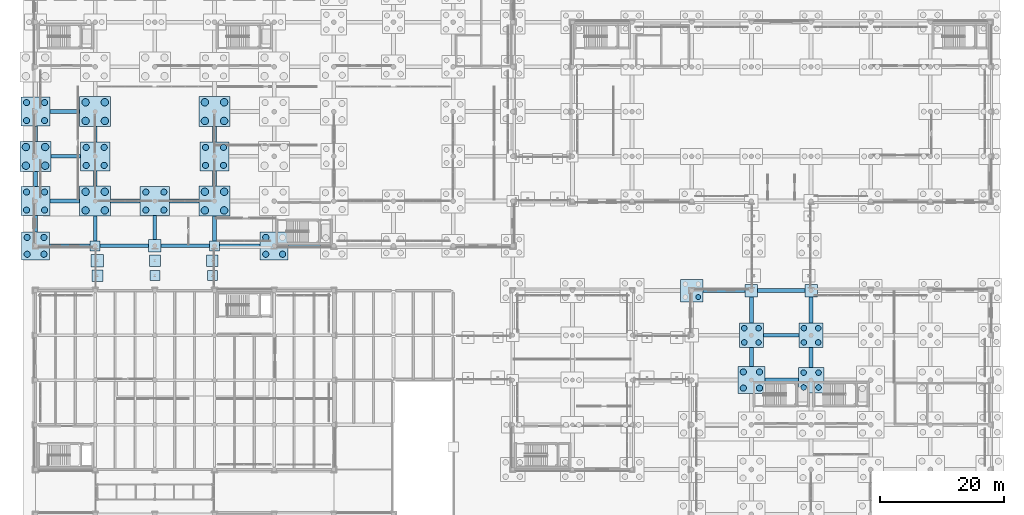
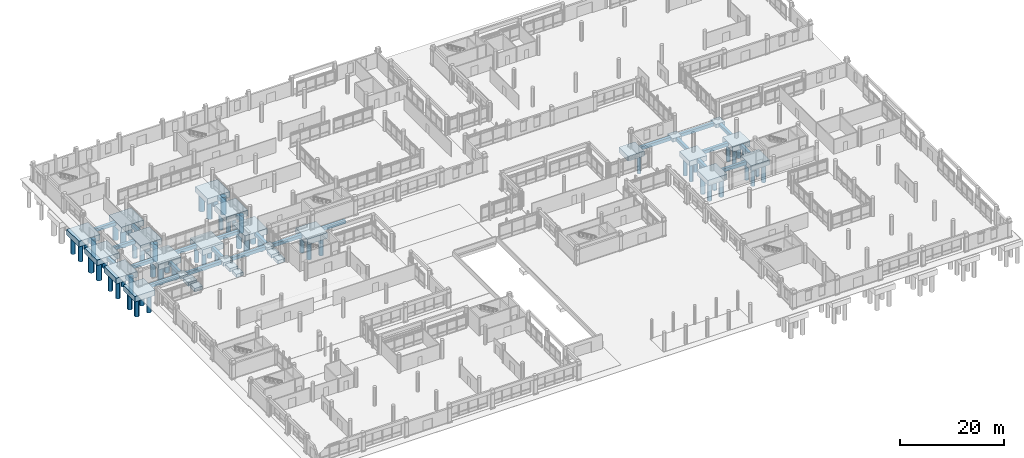
# One storey, part 3 of 196: 64 piles, 56 footings.
"""IFC4 building model written with IfcOpenShell, lengths in metres."""

from ifc_helpers import new_model, si_unit, direction, frame, origin, origin_2d, place, context, subcontext, project, spatial, rectangle, circle, extrude, material, material_profile, profile_set, type_object, element, save


model = new_model("IFC4")

# Units and contexts
model_context = context("Model", 3, precision=1e-05, world=origin(), true_north=direction((0.0, 1.0)))
body_context = subcontext(model_context, "Body", "Model", "MODEL_VIEW")
ifc_project = project(units=[si_unit("LENGTHUNIT", "METRE"), si_unit("AREAUNIT", "SQUARE_METRE"), si_unit("VOLUMEUNIT", "CUBIC_METRE"), si_unit("PLANEANGLEUNIT", "RADIAN"), si_unit("MASSUNIT", "GRAM", prefix="KILO")], contexts=[model_context])

# Site, building, storey
site_placement = place(None, origin())
site = spatial("IfcSite", under=ifc_project, at=site_placement, CompositionType="ELEMENT")
building_placement = place(site_placement, origin())
building = spatial("IfcBuilding", under=site, at=building_placement, Name="Asteropetra Specialist Clinic", CompositionType="ELEMENT")
storey_placement = place(building_placement, origin())
storey = spatial("IfcBuildingStorey", under=building, at=storey_placement, Name="L00", CompositionType="ELEMENT", Elevation=0.0)

# Footings
ifc_material_1 = material(Name="Concrete C35/45", Category="concrete")
ifc_material_profile_1 = material_profile(ifc_material_1, rectangle(XDim=0.60009765625, YDim=0.800048828125, at=origin_2d()), Name="FB 600x800")
ifc_profile_set_1 = profile_set([ifc_material_profile_1], Name="Concrete C35/45")
footing_type_1 = type_object("IfcFootingType", Name="FB-600x800", PredefinedType="FOOTING_BEAM", material=ifc_profile_set_1)
footing_1_placement = place(storey_placement, frame((2.25, 69.60009765625, -0.840087890625), z_axis=(1.0, 0.0, 0.0), x_axis=(0.0, 1.0, 0.0)))
element("IfcFooting", 1, at=footing_1_placement, inside=storey, type_object=footing_type_1, Name="Footing Tie Beam FB-0020", PredefinedType="FOOTING_BEAM", context=body_context, shape_type="SweptSolid", body=[
    extrude(rectangle(XDim=0.60009765625, YDim=0.800048828125, at=origin_2d()), origin(), (0.0, 0.0, 1.0), 6.550048828125),
])
footing_2_placement = place(storey_placement, frame((0.0, 71.85009765625, -0.840087890625), z_axis=(0.0, 1.0, 0.0), x_axis=(-1.0, 0.0, 0.0)))
element("IfcFooting", 2, at=footing_2_placement, inside=storey, type_object=footing_type_1, Name="Footing Tie Beam FB-0021", PredefinedType="FOOTING_BEAM", context=body_context, shape_type="SweptSolid", body=[
    extrude(rectangle(XDim=0.60009765625, YDim=0.800048828125, at=origin_2d()), origin(), (0.0, 0.0, 1.0), 2.599853515625),
])
footing_3_placement = place(storey_placement, frame((2.35009765625, 76.800048828125, -0.840087890625), z_axis=(1.0, 0.0, 0.0), x_axis=(0.0, 1.0, 0.0)))
element("IfcFooting", 3, at=footing_3_placement, inside=storey, type_object=footing_type_1, Name="Footing Tie Beam FB-0022", PredefinedType="FOOTING_BEAM", context=body_context, shape_type="SweptSolid", body=[
    extrude(rectangle(XDim=0.60009765625, YDim=0.800048828125, at=origin_2d()), origin(), (0.0, 0.0, 1.0), 4.75),
])
footing_4_placement = place(storey_placement, frame((0.0, 79.14990234375, -0.840087890625), z_axis=(0.0, 1.0, 0.0), x_axis=(-1.0, 0.0, 0.0)))
element("IfcFooting", 4, at=footing_4_placement, inside=storey, type_object=footing_type_1, Name="Footing Tie Beam FB-0023", PredefinedType="FOOTING_BEAM", context=body_context, shape_type="SweptSolid", body=[
    extrude(rectangle(XDim=0.60009765625, YDim=0.800048828125, at=origin_2d()), origin(), (0.0, 0.0, 1.0), 2.4501953125),
])
footing_5_placement = place(storey_placement, frame((2.5, 84.0, -0.840087890625), z_axis=(1.0, 0.0, 0.0), x_axis=(0.0, 1.0, 0.0)))
element("IfcFooting", 5, at=footing_5_placement, inside=storey, type_object=footing_type_1, Name="Footing Tie Beam FB-0024", PredefinedType="FOOTING_BEAM", context=body_context, shape_type="SweptSolid", body=[
    extrude(rectangle(XDim=0.60009765625, YDim=0.800048828125, at=origin_2d()), origin(), (0.0, 0.0, 1.0), 4.75),
])
footing_6_placement = place(storey_placement, frame((0.0, 86.39990234375, -0.840087890625), z_axis=(0.0, 1.0, 0.0), x_axis=(-1.0, 0.0, 0.0)))
element("IfcFooting", 6, at=footing_6_placement, inside=storey, type_object=footing_type_1, Name="Footing Tie Beam FB-0025", PredefinedType="FOOTING_BEAM", context=body_context, shape_type="SweptSolid", body=[
    extrude(rectangle(XDim=0.60009765625, YDim=0.800048828125, at=origin_2d()), origin(), (0.0, 0.0, 1.0), 2.4501953125),
])
footing_7_placement = place(storey_placement, frame((2.35009765625, 91.199951171875, -0.840087890625), z_axis=(1.0, 0.0, 0.0), x_axis=(0.0, 1.0, 0.0)))
element("IfcFooting", 7, at=footing_7_placement, inside=storey, type_object=footing_type_1, Name="Footing Tie Beam FB-0026", PredefinedType="FOOTING_BEAM", context=body_context, shape_type="SweptSolid", body=[
    extrude(rectangle(XDim=0.60009765625, YDim=0.800048828125, at=origin_2d()), origin(), (0.0, 0.0, 1.0), 4.75),
])
footing_8_placement = place(storey_placement, frame((10.39990234375, 69.60009765625, -0.840087890625), z_axis=(1.0, 0.0, 0.0), x_axis=(0.0, 1.0, 0.0)))
element("IfcFooting", 8, at=footing_8_placement, inside=storey, type_object=footing_type_1, Name="Footing Tie Beam FB-0052", PredefinedType="FOOTING_BEAM", context=body_context, shape_type="SweptSolid", body=[
    extrude(rectangle(XDim=0.60009765625, YDim=0.800048828125, at=origin_2d()), origin(), (0.0, 0.0, 1.0), 7.800048828125),
])
footing_9_placement = place(storey_placement, frame((9.60009765625, 70.39990234375, -0.840087890625), z_axis=(0.0, 1.0, 0.0), x_axis=(-1.0, 0.0, 0.0)))
element("IfcFooting", 9, at=footing_9_placement, inside=storey, type_object=footing_type_1, Name="Footing Tie Beam FB-0053", PredefinedType="FOOTING_BEAM", context=body_context, shape_type="SweptSolid", body=[
    extrude(rectangle(XDim=0.60009765625, YDim=0.800048828125, at=origin_2d()), origin(), (0.0, 0.0, 1.0), 4.0),
])
footing_10_placement = place(storey_placement, frame((12.10009765625, 76.800048828125, -0.840087890625), z_axis=(1.0, 0.0, 0.0), x_axis=(0.0, 1.0, 0.0)))
element("IfcFooting", 10, at=footing_10_placement, inside=storey, type_object=footing_type_1, Name="Footing Tie Beam FB-0054", PredefinedType="FOOTING_BEAM", context=body_context, shape_type="SweptSolid", body=[
    extrude(rectangle(XDim=0.60009765625, YDim=0.800048828125, at=origin_2d()), origin(), (0.0, 0.0, 1.0), 4.75),
])
for number, where, z_axis, x_axis, name in (
    (11, (9.60009765625, 79.199951171875, -0.840087890625), (0.0, 1.0, 0.0), (-1.0, 0.0, 0.0), "Footing Tie Beam FB-0055"),
    (12, (9.60009765625, 86.35009765625, -0.840087890625), (0.0, 1.0, 0.0), (-1.0, 0.0, 0.0), "Footing Tie Beam FB-0056"),
):
    element("IfcFooting", number, at=place(storey_placement, frame(where, z_axis=z_axis, x_axis=x_axis)), inside=storey, type_object=footing_type_1, Name=name, PredefinedType="FOOTING_BEAM", context=body_context, shape_type="SweptSolid", body=[
        extrude(rectangle(XDim=0.60009765625, YDim=0.800048828125, at=origin_2d()), origin(), (0.0, 0.0, 1.0), 2.449951171875),
    ])
footing_11_placement = place(storey_placement, frame((20.199951171875, 69.60009765625, -0.840087890625), z_axis=(1.0, 0.0, 0.0), x_axis=(0.0, 1.0, 0.0)))
element("IfcFooting", 13, at=footing_11_placement, inside=storey, type_object=footing_type_1, Name="Footing Tie Beam FB-0082", PredefinedType="FOOTING_BEAM", context=body_context, shape_type="SweptSolid", body=[
    extrude(rectangle(XDim=0.60009765625, YDim=0.800048828125, at=origin_2d()), origin(), (0.0, 0.0, 1.0), 7.800048828125),
])
footing_12_placement = place(storey_placement, frame((19.199951171875, 70.60009765625, -0.840087890625), z_axis=(0.0, 1.0, 0.0), x_axis=(-1.0, 0.0, 0.0)))
element("IfcFooting", 14, at=footing_12_placement, inside=storey, type_object=footing_type_1, Name="Footing Tie Beam FB-0083", PredefinedType="FOOTING_BEAM", context=body_context, shape_type="SweptSolid", body=[
    extrude(rectangle(XDim=0.60009765625, YDim=0.800048828125, at=origin_2d()), origin(), (0.0, 0.0, 1.0), 3.849853515625),
])
footing_13_placement = place(storey_placement, frame((21.550048828125, 76.800048828125, -0.840087890625), z_axis=(1.0, 0.0, 0.0), x_axis=(0.0, 1.0, 0.0)))
element("IfcFooting", 15, at=footing_13_placement, inside=storey, type_object=footing_type_1, Name="Footing Tie Beam FB-0084", PredefinedType="FOOTING_BEAM", context=body_context, shape_type="SweptSolid", body=[
    extrude(rectangle(XDim=0.60009765625, YDim=0.800048828125, at=origin_2d()), origin(), (0.0, 0.0, 1.0), 4.75),
])
footing_14_placement = place(storey_placement, frame((29.60009765625, 69.60009765625, -0.840087890625), z_axis=(1.0, 0.0, 0.0), x_axis=(0.0, 1.0, 0.0)))
element("IfcFooting", 16, at=footing_14_placement, inside=storey, type_object=footing_type_1, Name="Footing Tie Beam FB-0109", PredefinedType="FOOTING_BEAM", context=body_context, shape_type="SweptSolid", body=[
    extrude(rectangle(XDim=0.60009765625, YDim=0.800048828125, at=origin_2d()), origin(), (0.0, 0.0, 1.0), 6.5498046875),
])
footing_15_placement = place(storey_placement, frame((28.800048828125, 70.39990234375, -0.840087890625), z_axis=(0.0, 1.0, 0.0), x_axis=(-1.0, 0.0, 0.0)))
element("IfcFooting", 17, at=footing_15_placement, inside=storey, type_object=footing_type_1, Name="Footing Tie Beam FB-0110", PredefinedType="FOOTING_BEAM", context=body_context, shape_type="SweptSolid", body=[
    extrude(rectangle(XDim=0.60009765625, YDim=0.800048828125, at=origin_2d()), origin(), (0.0, 0.0, 1.0), 4.0),
])
for number, where, z_axis, x_axis, name in (
    (18, (28.800048828125, 79.199951171875, -0.840087890625), (0.0, 1.0, 0.0), (-1.0, 0.0, 0.0), "Footing Tie Beam FB-0112"),
    (19, (28.800048828125, 86.35009765625, -0.840087890625), (0.0, 1.0, 0.0), (-1.0, 0.0, 0.0), "Footing Tie Beam FB-0114"),
):
    element("IfcFooting", number, at=place(storey_placement, frame(where, z_axis=z_axis, x_axis=x_axis)), inside=storey, type_object=footing_type_1, Name=name, PredefinedType="FOOTING_BEAM", context=body_context, shape_type="SweptSolid", body=[
        extrude(rectangle(XDim=0.60009765625, YDim=0.800048828125, at=origin_2d()), origin(), (0.0, 0.0, 1.0), 2.449951171875),
    ])
footing_16_placement = place(storey_placement, frame((40.64990234375, 69.60009765625, -0.840087890625), z_axis=(1.0, 0.0, 0.0), x_axis=(0.0, 1.0, 0.0)))
element("IfcFooting", 20, at=footing_16_placement, inside=storey, type_object=footing_type_1, Name="Footing Tie Beam FB-0141", PredefinedType="FOOTING_BEAM", context=body_context, shape_type="SweptSolid", body=[
    extrude(rectangle(XDim=0.60009765625, YDim=0.800048828125, at=origin_2d()), origin(), (0.0, 0.0, 1.0), 5.2001953125),
])
footing_17_placement = place(storey_placement, frame((107.39990234375, 62.39990234375, -0.840087890625), z_axis=(1.0, 0.0, 0.0), x_axis=(0.0, 1.0, 0.0)))
element("IfcFooting", 21, at=footing_17_placement, inside=storey, type_object=footing_type_1, Name="Footing Tie Beam FB-0314", PredefinedType="FOOTING_BEAM", context=body_context, shape_type="SweptSolid", body=[
    extrude(rectangle(XDim=0.60009765625, YDim=0.800048828125, at=origin_2d()), origin(), (0.0, 0.0, 1.0), 6.800048828125),
])
footing_18_placement = place(storey_placement, frame((117.35009765625, 48.0, -0.840087890625), z_axis=(1.0, 0.0, 0.0), x_axis=(0.0, 1.0, 0.0)))
element("IfcFooting", 22, at=footing_18_placement, inside=storey, type_object=footing_type_1, Name="Footing Tie Beam FB-0334", PredefinedType="FOOTING_BEAM", context=body_context, shape_type="SweptSolid", body=[
    extrude(rectangle(XDim=0.60009765625, YDim=0.800048828125, at=origin_2d()), origin(), (0.0, 0.0, 1.0), 5.39990234375),
])
footing_19_placement = place(storey_placement, frame((115.199951171875, 50.14990234375, -0.840087890625), z_axis=(0.0, 1.0, 0.0), x_axis=(-1.0, 0.0, 0.0)))
element("IfcFooting", 23, at=footing_19_placement, inside=storey, type_object=footing_type_1, Name="Footing Tie Beam FB-0335", PredefinedType="FOOTING_BEAM", context=body_context, shape_type="SweptSolid", body=[
    extrude(rectangle(XDim=0.60009765625, YDim=0.800048828125, at=origin_2d()), origin(), (0.0, 0.0, 1.0), 3.10009765625),
])
footing_20_placement = place(storey_placement, frame((117.14990234375, 55.199951171875, -0.840087890625), z_axis=(1.0, 0.0, 0.0), x_axis=(0.0, 1.0, 0.0)))
element("IfcFooting", 24, at=footing_20_placement, inside=storey, type_object=footing_type_1, Name="Footing Tie Beam FB-0336", PredefinedType="FOOTING_BEAM", context=body_context, shape_type="SweptSolid", body=[
    extrude(rectangle(XDim=0.60009765625, YDim=0.800048828125, at=origin_2d()), origin(), (0.0, 0.0, 1.0), 5.7001953125),
])
footing_21_placement = place(storey_placement, frame((115.199951171875, 57.14990234375, -0.840087890625), z_axis=(0.0, 1.0, 0.0), x_axis=(-1.0, 0.0, 0.0)))
element("IfcFooting", 25, at=footing_21_placement, inside=storey, type_object=footing_type_1, Name="Footing Tie Beam FB-0337", PredefinedType="FOOTING_BEAM", context=body_context, shape_type="SweptSolid", body=[
    extrude(rectangle(XDim=0.60009765625, YDim=0.800048828125, at=origin_2d()), origin(), (0.0, 0.0, 1.0), 4.25),
])
footing_22_placement = place(storey_placement, frame((116.199951171875, 62.39990234375, -0.840087890625), z_axis=(1.0, 0.0, 0.0), x_axis=(0.0, 1.0, 0.0)))
element("IfcFooting", 26, at=footing_22_placement, inside=storey, type_object=footing_type_1, Name="Footing Tie Beam FB-0338", PredefinedType="FOOTING_BEAM", context=body_context, shape_type="SweptSolid", body=[
    extrude(rectangle(XDim=0.60009765625, YDim=0.800048828125, at=origin_2d()), origin(), (0.0, 0.0, 1.0), 7.60009765625),
])
footing_23_placement = place(storey_placement, frame((124.800048828125, 50.050048828125, -0.840087890625), z_axis=(0.0, 1.0, 0.0), x_axis=(-1.0, 0.0, 0.0)))
element("IfcFooting", 27, at=footing_23_placement, inside=storey, type_object=footing_type_1, Name="Footing Tie Beam FB-0359", PredefinedType="FOOTING_BEAM", context=body_context, shape_type="SweptSolid", body=[
    extrude(rectangle(XDim=0.60009765625, YDim=0.800048828125, at=origin_2d()), origin(), (0.0, 0.0, 1.0), 3.199951171875),
])
footing_24_placement = place(storey_placement, frame((124.800048828125, 57.14990234375, -0.840087890625), z_axis=(0.0, 1.0, 0.0), x_axis=(-1.0, 0.0, 0.0)))
element("IfcFooting", 28, at=footing_24_placement, inside=storey, type_object=footing_type_1, Name="Footing Tie Beam FB-0361", PredefinedType="FOOTING_BEAM", context=body_context, shape_type="SweptSolid", body=[
    extrude(rectangle(XDim=0.60009765625, YDim=0.800048828125, at=origin_2d()), origin(), (0.0, 0.0, 1.0), 4.25),
])
ifc_material_2 = material(Name="Concrete C35/45", Category="concrete")
footing_type_2 = type_object("IfcFootingType", Name="PC-2800", PredefinedType="PILE_CAP", material=ifc_material_2)
footing_25_placement = place(storey_placement, frame((105.60009765625, 62.39990234375, -1.58984375), z_axis=(0.0, 0.0, 1.0), x_axis=(1.0, 0.0, 0.0)))
element("IfcFooting", 29, at=footing_25_placement, inside=storey, type_object=footing_type_2, Name="Pile Cap PC-02-208", PredefinedType="PILE_CAP", context=body_context, shape_type="SweptSolid", body=[
    extrude(rectangle(XDim=3.60009765625, YDim=3.60009765625, at=origin_2d()), origin(), (0.0, 0.0, 1.0), 1.14990234375),
])
ifc_material_3 = material(Name="Concrete C35/45", Category="concrete")
footing_type_3 = type_object("IfcFootingType", Name="PC-3000", PredefinedType="PILE_CAP", material=ifc_material_3)
for number, where, z_axis, x_axis, name in (
    (30, (115.199951171875, 55.199951171875, -1.64013671875), (0.0, 0.0, 1.0), (1.0, 0.0, 0.0), "Pile Cap PC-03-221"),
    (31, (124.800048828125, 55.199951171875, -1.64013671875), (0.0, 0.0, 1.0), (1.0, 0.0, 0.0), "Pile Cap PC-03-241"),
):
    element("IfcFooting", number, at=place(storey_placement, frame(where, z_axis=z_axis, x_axis=x_axis)), inside=storey, type_object=footing_type_3, Name=name, PredefinedType="PILE_CAP", context=body_context, shape_type="SweptSolid", body=[
        extrude(rectangle(XDim=3.89990234375, YDim=3.89990234375, at=origin_2d()), origin(), (0.0, 0.0, 1.0), 1.199951171875),
    ])
ifc_material_4 = material(Name="Concrete C35/45", Category="concrete")
footing_type_4 = type_object("IfcFootingType", Name="PC-3200", PredefinedType="PILE_CAP", material=ifc_material_4)
footing_26_placement = place(storey_placement, frame((124.800048828125, 48.0, -1.64013671875), z_axis=(0.0, 0.0, 1.0), x_axis=(1.0, 0.0, 0.0)))
element("IfcFooting", 32, at=footing_26_placement, inside=storey, type_object=footing_type_4, Name="Pile Cap PC-04-240", PredefinedType="PILE_CAP", context=body_context, shape_type="SweptSolid", body=[
    extrude(rectangle(XDim=4.10009765625, YDim=4.10009765625, at=origin_2d()), origin(), (0.0, 0.0, 1.0), 1.199951171875),
])
ifc_material_5 = material(Name="Concrete C35/45", Category="concrete")
footing_type_5 = type_object("IfcFootingType", Name="PC-3400", PredefinedType="PILE_CAP", material=ifc_material_5)
footing_27_placement = place(storey_placement, frame((115.199951171875, 48.0, -1.68994140625), z_axis=(0.0, 0.0, 1.0), x_axis=(1.0, 0.0, 0.0)))
element("IfcFooting", 33, at=footing_27_placement, inside=storey, type_object=footing_type_5, Name="Pile Cap PC-05-220", PredefinedType="PILE_CAP", context=body_context, shape_type="SweptSolid", body=[
    extrude(rectangle(XDim=4.300048828125, YDim=4.300048828125, at=origin_2d()), origin(), (0.0, 0.0, 1.0), 1.25),
])
ifc_material_6 = material(Name="Concrete C35/45", Category="concrete")
footing_type_6 = type_object("IfcFootingType", Name="PC-3600", PredefinedType="PILE_CAP", material=ifc_material_6)
for number, where, z_axis, x_axis, name in (
    (34, (0.0, 69.60009765625, -1.740234375), (0.0, 0.0, 1.0), (1.0, 0.0, 0.0), "Pile Cap PC-06-011"),
    (35, (38.39990234375, 69.60009765625, -1.740234375), (0.0, 0.0, 1.0), (1.0, 0.0, 0.0), "Pile Cap PC-06-089"),
):
    element("IfcFooting", number, at=place(storey_placement, frame(where, z_axis=z_axis, x_axis=x_axis)), inside=storey, type_object=footing_type_6, Name=name, PredefinedType="PILE_CAP", context=body_context, shape_type="SweptSolid", body=[
        extrude(rectangle(XDim=4.5, YDim=4.5, at=origin_2d()), origin(), (0.0, 0.0, 1.0), 1.300048828125),
    ])
ifc_material_7 = material(Name="Concrete C35/45", Category="concrete")
footing_type_7 = type_object("IfcFootingType", Name="PC-3800", PredefinedType="PILE_CAP", material=ifc_material_7)
for number, where, z_axis, x_axis, name in (
    (36, (0.0, 76.800048828125, -1.7900390625), (0.0, 0.0, 1.0), (1.0, 0.0, 0.0), "Pile Cap PC-07-012"),
    (37, (0.0, 91.199951171875, -1.7900390625), (0.0, 0.0, 1.0), (1.0, 0.0, 0.0), "Pile Cap PC-07-014"),
    (38, (9.60009765625, 84.0, -1.7900390625), (0.0, 0.0, 1.0), (1.0, 0.0, 0.0), "Pile Cap PC-07-030"),
    (39, (19.199951171875, 76.800048828125, -1.7900390625), (0.0, 0.0, 1.0), (1.0, 0.0, 0.0), "Pile Cap PC-07-054"),
    (40, (28.800048828125, 84.0, -1.7900390625), (0.0, 0.0, 1.0), (1.0, 0.0, 0.0), "Pile Cap PC-07-074"),
):
    element("IfcFooting", number, at=place(storey_placement, frame(where, z_axis=z_axis, x_axis=x_axis)), inside=storey, type_object=footing_type_7, Name=name, PredefinedType="PILE_CAP", context=body_context, shape_type="SweptSolid", body=[
        extrude(rectangle(XDim=4.699951171875, YDim=4.699951171875, at=origin_2d()), origin(), (0.0, 0.0, 1.0), 1.35009765625),
    ])
ifc_material_8 = material(Name="Concrete C35/45", Category="concrete")
footing_type_8 = type_object("IfcFootingType", Name="PC-4000x3200", PredefinedType="PILE_CAP", material=ifc_material_8)
for number, where, z_axis, x_axis, name in (
    (41, (0.0, 84.0, -1.740234375), (0.0, 0.0, 1.0), (1.0, 0.0, 0.0), "Pile Cap PC-08-013"),
    (42, (9.60009765625, 76.800048828125, -1.740234375), (0.0, 0.0, 1.0), (1.0, 0.0, 0.0), "Pile Cap PC-08-029"),
    (43, (9.60009765625, 91.199951171875, -1.740234375), (0.0, 0.0, 1.0), (1.0, 0.0, 0.0), "Pile Cap PC-08-031"),
    (44, (28.800048828125, 76.800048828125, -1.740234375), (0.0, 0.0, 1.0), (1.0, 0.0, 0.0), "Pile Cap PC-08-073"),
    (45, (28.800048828125, 91.199951171875, -1.740234375), (0.0, 0.0, 1.0), (1.0, 0.0, 0.0), "Pile Cap PC-08-075"),
):
    element("IfcFooting", number, at=place(storey_placement, frame(where, z_axis=z_axis, x_axis=x_axis)), inside=storey, type_object=footing_type_8, Name=name, PredefinedType="PILE_CAP", context=body_context, shape_type="SweptSolid", body=[
        extrude(rectangle(XDim=5.0, YDim=4.800048828125, at=origin_2d()), origin(), (0.0, 0.0, 1.0), 1.300048828125),
    ])
ifc_material_9 = material(Name="Concrete C35/45", Category="concrete")
footing_type_9 = type_object("IfcFootingType", Name="PF-1600", PredefinedType="PAD_FOOTING", material=ifc_material_9)
for number, where, z_axis, x_axis, name in (
    (46, (9.60009765625, 69.60009765625, -1.18994140625), (0.0, 0.0, 1.0), (1.0, 0.0, 0.0), "Pad Footing PF-01-028"),
    (47, (19.199951171875, 64.800048828125, -1.18994140625), (0.0, 0.0, 1.0), (1.0, 0.0, 0.0), "Pad Footing PF-01-051"),
    (48, (28.449951171875, 64.800048828125, -1.18994140625), (0.0, 0.0, 1.0), (1.0, 0.0, 0.0), "Pad Footing PF-01-060"),
    (49, (28.800048828125, 69.60009765625, -1.18994140625), (0.0, 0.0, 1.0), (1.0, 0.0, 0.0), "Pad Footing PF-01-072"),
):
    element("IfcFooting", number, at=place(storey_placement, frame(where, z_axis=z_axis, x_axis=x_axis)), inside=storey, type_object=footing_type_9, Name=name, PredefinedType="PAD_FOOTING", context=body_context, shape_type="SweptSolid", body=[
        extrude(rectangle(XDim=1.60009765625, YDim=1.60009765625, at=origin_2d()), origin(), (0.0, 0.0, 1.0), 0.75),
    ])
ifc_material_10 = material(Name="Concrete C35/45", Category="concrete")
footing_type_10 = type_object("IfcFootingType", Name="PF-1800", PredefinedType="PAD_FOOTING", material=ifc_material_10)
for number, where, z_axis, x_axis, name in (
    (50, (9.949951171875, 64.800048828125, -1.240234375), (0.0, 0.0, 1.0), (1.0, 0.0, 0.0), "Pad Footing PF-02-037"),
    (51, (19.199951171875, 67.199951171875, -1.240234375), (0.0, 0.0, 1.0), (1.0, 0.0, 0.0), "Pad Footing PF-02-052"),
    (52, (28.449951171875, 67.199951171875, -1.240234375), (0.0, 0.0, 1.0), (1.0, 0.0, 0.0), "Pad Footing PF-02-061"),
):
    element("IfcFooting", number, at=place(storey_placement, frame(where, z_axis=z_axis, x_axis=x_axis)), inside=storey, type_object=footing_type_10, Name=name, PredefinedType="PAD_FOOTING", context=body_context, shape_type="SweptSolid", body=[
        extrude(rectangle(XDim=1.800048828125, YDim=1.800048828125, at=origin_2d()), origin(), (0.0, 0.0, 1.0), 0.800048828125),
    ])
ifc_material_11 = material(Name="Concrete C35/45", Category="concrete")
footing_type_11 = type_object("IfcFootingType", Name="PF-2000", PredefinedType="PAD_FOOTING", material=ifc_material_11)
for number, where, z_axis, x_axis, name in (
    (53, (9.949951171875, 67.199951171875, -1.2900390625), (0.0, 0.0, 1.0), (1.0, 0.0, 0.0), "Pad Footing PF-03-038"),
    (54, (19.199951171875, 69.60009765625, -1.2900390625), (0.0, 0.0, 1.0), (1.0, 0.0, 0.0), "Pad Footing PF-03-053"),
    (55, (115.199951171875, 62.39990234375, -1.2900390625), (0.0, 0.0, 1.0), (1.0, 0.0, 0.0), "Pad Footing PF-03-222"),
    (56, (124.800048828125, 62.39990234375, -1.2900390625), (0.0, 0.0, 1.0), (1.0, 0.0, 0.0), "Pad Footing PF-03-242"),
):
    element("IfcFooting", number, at=place(storey_placement, frame(where, z_axis=z_axis, x_axis=x_axis)), inside=storey, type_object=footing_type_11, Name=name, PredefinedType="PAD_FOOTING", context=body_context, shape_type="SweptSolid", body=[
        extrude(rectangle(XDim=2.0, YDim=2.0, at=origin_2d()), origin(), (0.0, 0.0, 1.0), 0.85009765625),
    ])

# Piles
ifc_material_12 = material(Name="Concrete C35/45", Category="concrete")
ifc_material_profile_2 = material_profile(ifc_material_12, circle(Radius=0.5, at=origin_2d()), Name="PILE D1000")
ifc_profile_set_2 = profile_set([ifc_material_profile_2], Name="Concrete C35/45")
pile_type_1 = type_object("IfcPileType", Name="PILE-B1000", PredefinedType="BORED", material=ifc_profile_set_2)
for number, where, z_axis, x_axis, name in (
    (57, (-1.35009765625, 68.25, -1.639892578125), (0.0, 0.0, -1.0), (1.0, 0.0, 0.0), "Bored Pile PPL03-011-1"),
    (58, (1.35009765625, 68.25, -1.639892578125), (0.0, 0.0, -1.0), (1.0, 0.0, 0.0), "Bored Pile PPL03-011-2"),
    (59, (-1.35009765625, 70.949951171875, -1.639892578125), (0.0, 0.0, -1.0), (1.0, 0.0, 0.0), "Bored Pile PPL03-011-3"),
    (60, (1.35009765625, 70.949951171875, -1.639892578125), (0.0, 0.0, -1.0), (1.0, 0.0, 0.0), "Bored Pile PPL03-011-4"),
):
    element("IfcPile", number, at=place(storey_placement, frame(where, z_axis=z_axis, x_axis=x_axis)), inside=storey, type_object=pile_type_1, Name=name, PredefinedType="BORED", context=body_context, shape_type="SweptSolid", body=[
        extrude(circle(Radius=0.5, at=origin_2d()), origin(), (0.0, 0.0, 1.0), 4.159912109375),
    ])
for number, where, z_axis, x_axis, name in (
    (61, (-1.449951171875, 75.35009765625, -1.68994140625), (0.0, 0.0, -1.0), (1.0, 0.0, 0.0), "Bored Pile PPL03-012-1"),
    (62, (1.449951171875, 75.35009765625, -1.68994140625), (0.0, 0.0, -1.0), (1.0, 0.0, 0.0), "Bored Pile PPL03-012-2"),
    (63, (-1.449951171875, 78.25, -1.68994140625), (0.0, 0.0, -1.0), (1.0, 0.0, 0.0), "Bored Pile PPL03-012-3"),
    (64, (1.449951171875, 78.25, -1.68994140625), (0.0, 0.0, -1.0), (1.0, 0.0, 0.0), "Bored Pile PPL03-012-4"),
    (65, (-1.449951171875, 89.75, -1.68994140625), (0.0, 0.0, -1.0), (1.0, 0.0, 0.0), "Bored Pile PPL03-014-1"),
    (66, (1.449951171875, 89.75, -1.68994140625), (0.0, 0.0, -1.0), (1.0, 0.0, 0.0), "Bored Pile PPL03-014-2"),
    (67, (-1.449951171875, 92.64990234375, -1.68994140625), (0.0, 0.0, -1.0), (1.0, 0.0, 0.0), "Bored Pile PPL03-014-3"),
    (68, (1.449951171875, 92.64990234375, -1.68994140625), (0.0, 0.0, -1.0), (1.0, 0.0, 0.0), "Bored Pile PPL03-014-4"),
    (69, (8.14990234375, 82.550048828125, -1.68994140625), (0.0, 0.0, -1.0), (1.0, 0.0, 0.0), "Bored Pile PPL03-030-1"),
    (70, (11.050048828125, 82.550048828125, -1.68994140625), (0.0, 0.0, -1.0), (1.0, 0.0, 0.0), "Bored Pile PPL03-030-2"),
    (71, (8.14990234375, 85.449951171875, -1.68994140625), (0.0, 0.0, -1.0), (1.0, 0.0, 0.0), "Bored Pile PPL03-030-3"),
    (72, (11.050048828125, 85.449951171875, -1.68994140625), (0.0, 0.0, -1.0), (1.0, 0.0, 0.0), "Bored Pile PPL03-030-4"),
    (73, (17.75, 75.35009765625, -1.68994140625), (0.0, 0.0, -1.0), (1.0, 0.0, 0.0), "Bored Pile PPL03-054-1"),
    (74, (20.64990234375, 75.35009765625, -1.68994140625), (0.0, 0.0, -1.0), (1.0, 0.0, 0.0), "Bored Pile PPL03-054-2"),
    (75, (17.75, 78.25, -1.68994140625), (0.0, 0.0, -1.0), (1.0, 0.0, 0.0), "Bored Pile PPL03-054-3"),
    (76, (20.64990234375, 78.25, -1.68994140625), (0.0, 0.0, -1.0), (1.0, 0.0, 0.0), "Bored Pile PPL03-054-4"),
    (77, (27.35009765625, 82.550048828125, -1.68994140625), (0.0, 0.0, -1.0), (1.0, 0.0, 0.0), "Bored Pile PPL03-074-1"),
    (78, (30.25, 82.550048828125, -1.68994140625), (0.0, 0.0, -1.0), (1.0, 0.0, 0.0), "Bored Pile PPL03-074-2"),
    (79, (27.35009765625, 85.449951171875, -1.68994140625), (0.0, 0.0, -1.0), (1.0, 0.0, 0.0), "Bored Pile PPL03-074-3"),
    (80, (30.25, 85.449951171875, -1.68994140625), (0.0, 0.0, -1.0), (1.0, 0.0, 0.0), "Bored Pile PPL03-074-4"),
):
    element("IfcPile", number, at=place(storey_placement, frame(where, z_axis=z_axis, x_axis=x_axis)), inside=storey, type_object=pile_type_1, Name=name, PredefinedType="BORED", context=body_context, shape_type="SweptSolid", body=[
        extrude(circle(Radius=0.5, at=origin_2d()), origin(), (0.0, 0.0, 1.0), 4.110107421875),
    ])
for number, where, z_axis, x_axis, name in (
    (81, (37.050048828125, 68.25, -1.639892578125), (0.0, 0.0, -1.0), (1.0, 0.0, 0.0), "Bored Pile PPL03-089-1"),
    (82, (39.75, 68.25, -1.639892578125), (0.0, 0.0, -1.0), (1.0, 0.0, 0.0), "Bored Pile PPL03-089-2"),
    (83, (37.050048828125, 70.949951171875, -1.639892578125), (0.0, 0.0, -1.0), (1.0, 0.0, 0.0), "Bored Pile PPL03-089-3"),
):
    element("IfcPile", number, at=place(storey_placement, frame(where, z_axis=z_axis, x_axis=x_axis)), inside=storey, type_object=pile_type_1, Name=name, PredefinedType="BORED", context=body_context, shape_type="SweptSolid", body=[
        extrude(circle(Radius=0.5, at=origin_2d()), origin(), (0.0, 0.0, 1.0), 4.159912109375),
    ])
for number, where, z_axis, x_axis, name in (
    (84, (113.89990234375, 46.699951171875, -1.590087890625), (0.0, 0.0, -1.0), (1.0, 0.0, 0.0), "Bored Pile PPL03-220-1"),
    (85, (116.5, 46.699951171875, -1.590087890625), (0.0, 0.0, -1.0), (1.0, 0.0, 0.0), "Bored Pile PPL03-220-2"),
    (86, (113.89990234375, 49.300048828125, -1.590087890625), (0.0, 0.0, -1.0), (1.0, 0.0, 0.0), "Bored Pile PPL03-220-3"),
    (87, (116.5, 49.300048828125, -1.590087890625), (0.0, 0.0, -1.0), (1.0, 0.0, 0.0), "Bored Pile PPL03-220-4"),
):
    element("IfcPile", number, at=place(storey_placement, frame(where, z_axis=z_axis, x_axis=x_axis)), inside=storey, type_object=pile_type_1, Name=name, PredefinedType="BORED", context=body_context, shape_type="SweptSolid", body=[
        extrude(circle(Radius=0.5, at=origin_2d()), origin(), (0.0, 0.0, 1.0), 4.2099609375),
    ])
ifc_material_13 = material(Name="Concrete C35/45", Category="concrete")
ifc_material_profile_3 = material_profile(ifc_material_13, circle(Radius=0.60009765625, at=origin_2d()), Name="PILE D1200")
ifc_profile_set_3 = profile_set([ifc_material_profile_3], Name="Concrete C35/45")
pile_type_2 = type_object("IfcPileType", Name="PILE-B1200", PredefinedType="BORED", material=ifc_profile_set_3)
for number, where, z_axis, x_axis, name in (
    (88, (-1.550048828125, 82.5, -1.639892578125), (0.0, 0.0, -1.0), (1.0, 0.0, 0.0), "Bored Pile PPL04-013-1"),
    (89, (1.550048828125, 82.5, -1.639892578125), (0.0, 0.0, -1.0), (1.0, 0.0, 0.0), "Bored Pile PPL04-013-2"),
    (90, (-1.550048828125, 85.5, -1.639892578125), (0.0, 0.0, -1.0), (1.0, 0.0, 0.0), "Bored Pile PPL04-013-3"),
    (91, (1.550048828125, 85.5, -1.639892578125), (0.0, 0.0, -1.0), (1.0, 0.0, 0.0), "Bored Pile PPL04-013-4"),
    (92, (8.050048828125, 75.300048828125, -1.639892578125), (0.0, 0.0, -1.0), (1.0, 0.0, 0.0), "Bored Pile PPL04-029-1"),
    (93, (11.14990234375, 75.300048828125, -1.639892578125), (0.0, 0.0, -1.0), (1.0, 0.0, 0.0), "Bored Pile PPL04-029-2"),
    (94, (8.050048828125, 78.300048828125, -1.639892578125), (0.0, 0.0, -1.0), (1.0, 0.0, 0.0), "Bored Pile PPL04-029-3"),
    (95, (11.14990234375, 78.300048828125, -1.639892578125), (0.0, 0.0, -1.0), (1.0, 0.0, 0.0), "Bored Pile PPL04-029-4"),
    (96, (8.050048828125, 89.699951171875, -1.639892578125), (0.0, 0.0, -1.0), (1.0, 0.0, 0.0), "Bored Pile PPL04-031-1"),
    (97, (11.14990234375, 89.699951171875, -1.639892578125), (0.0, 0.0, -1.0), (1.0, 0.0, 0.0), "Bored Pile PPL04-031-2"),
    (98, (8.050048828125, 92.699951171875, -1.639892578125), (0.0, 0.0, -1.0), (1.0, 0.0, 0.0), "Bored Pile PPL04-031-3"),
    (99, (11.14990234375, 92.699951171875, -1.639892578125), (0.0, 0.0, -1.0), (1.0, 0.0, 0.0), "Bored Pile PPL04-031-4"),
    (100, (27.25, 75.300048828125, -1.639892578125), (0.0, 0.0, -1.0), (1.0, 0.0, 0.0), "Bored Pile PPL04-073-1"),
    (101, (30.35009765625, 75.300048828125, -1.639892578125), (0.0, 0.0, -1.0), (1.0, 0.0, 0.0), "Bored Pile PPL04-073-2"),
    (102, (27.25, 78.300048828125, -1.639892578125), (0.0, 0.0, -1.0), (1.0, 0.0, 0.0), "Bored Pile PPL04-073-3"),
    (103, (30.35009765625, 78.300048828125, -1.639892578125), (0.0, 0.0, -1.0), (1.0, 0.0, 0.0), "Bored Pile PPL04-073-4"),
    (104, (27.25, 89.699951171875, -1.639892578125), (0.0, 0.0, -1.0), (1.0, 0.0, 0.0), "Bored Pile PPL04-075-1"),
    (105, (30.35009765625, 89.699951171875, -1.639892578125), (0.0, 0.0, -1.0), (1.0, 0.0, 0.0), "Bored Pile PPL04-075-2"),
    (106, (27.25, 92.699951171875, -1.639892578125), (0.0, 0.0, -1.0), (1.0, 0.0, 0.0), "Bored Pile PPL04-075-3"),
    (107, (30.35009765625, 92.699951171875, -1.639892578125), (0.0, 0.0, -1.0), (1.0, 0.0, 0.0), "Bored Pile PPL04-075-4"),
):
    element("IfcPile", number, at=place(storey_placement, frame(where, z_axis=z_axis, x_axis=x_axis)), inside=storey, type_object=pile_type_2, Name=name, PredefinedType="BORED", context=body_context, shape_type="SweptSolid", body=[
        extrude(circle(Radius=0.60009765625, at=origin_2d()), origin(), (0.0, 0.0, 1.0), 4.159912109375),
    ])
ifc_material_14 = material(Name="Concrete C35/45", Category="concrete")
ifc_material_profile_4 = material_profile(ifc_material_14, circle(Radius=0.39990234375, at=origin_2d()), Name="PILE D800")
ifc_profile_set_4 = profile_set([ifc_material_profile_4], Name="Concrete C35/45")
pile_type_3 = type_object("IfcPileType", Name="PILE-B800", PredefinedType="BORED", material=ifc_profile_set_4)
pile_placement = place(storey_placement, frame((106.64990234375, 61.35009765625, -1.489990234375), z_axis=(0.0, 0.0, -1.0), x_axis=(1.0, 0.0, 0.0)))
element("IfcPile", 108, at=pile_placement, inside=storey, type_object=pile_type_3, Name="Bored Pile PPL01-208-2", PredefinedType="BORED", context=body_context, shape_type="SweptSolid", body=[
    extrude(circle(Radius=0.39990234375, at=origin_2d()), origin(), (0.0, 0.0, 1.0), 4.31005859375),
])
ifc_material_15 = material(Name="Concrete C35/45", Category="concrete")
ifc_material_profile_5 = material_profile(ifc_material_15, circle(Radius=0.449951171875, at=origin_2d()), Name="PILE D900")
ifc_profile_set_5 = profile_set([ifc_material_profile_5], Name="Concrete C35/45")
pile_type_4 = type_object("IfcPileType", Name="PILE-B900", PredefinedType="BORED", material=ifc_profile_set_5)
for number, where, z_axis, x_axis, name in (
    (109, (114.050048828125, 54.050048828125, -1.5400390625), (0.0, 0.0, -1.0), (1.0, 0.0, 0.0), "Bored Pile PPL02-221-1"),
    (110, (116.35009765625, 54.050048828125, -1.5400390625), (0.0, 0.0, -1.0), (1.0, 0.0, 0.0), "Bored Pile PPL02-221-2"),
    (111, (114.050048828125, 56.35009765625, -1.5400390625), (0.0, 0.0, -1.0), (1.0, 0.0, 0.0), "Bored Pile PPL02-221-3"),
    (112, (116.35009765625, 56.35009765625, -1.5400390625), (0.0, 0.0, -1.0), (1.0, 0.0, 0.0), "Bored Pile PPL02-221-4"),
    (113, (123.60009765625, 46.800048828125, -1.5400390625), (0.0, 0.0, -1.0), (1.0, 0.0, 0.0), "Bored Pile PPL02-240-1"),
    (114, (126.0, 46.800048828125, -1.5400390625), (0.0, 0.0, -1.0), (1.0, 0.0, 0.0), "Bored Pile PPL02-240-2"),
    (115, (123.60009765625, 49.199951171875, -1.5400390625), (0.0, 0.0, -1.0), (1.0, 0.0, 0.0), "Bored Pile PPL02-240-3"),
    (116, (126.0, 49.199951171875, -1.5400390625), (0.0, 0.0, -1.0), (1.0, 0.0, 0.0), "Bored Pile PPL02-240-4"),
    (117, (123.64990234375, 54.050048828125, -1.5400390625), (0.0, 0.0, -1.0), (1.0, 0.0, 0.0), "Bored Pile PPL02-241-1"),
    (118, (125.949951171875, 54.050048828125, -1.5400390625), (0.0, 0.0, -1.0), (1.0, 0.0, 0.0), "Bored Pile PPL02-241-2"),
    (119, (123.64990234375, 56.35009765625, -1.5400390625), (0.0, 0.0, -1.0), (1.0, 0.0, 0.0), "Bored Pile PPL02-241-3"),
    (120, (125.949951171875, 56.35009765625, -1.5400390625), (0.0, 0.0, -1.0), (1.0, 0.0, 0.0), "Bored Pile PPL02-241-4"),
):
    element("IfcPile", number, at=place(storey_placement, frame(where, z_axis=z_axis, x_axis=x_axis)), inside=storey, type_object=pile_type_4, Name=name, PredefinedType="BORED", context=body_context, shape_type="SweptSolid", body=[
        extrude(circle(Radius=0.449951171875, at=origin_2d()), origin(), (0.0, 0.0, 1.0), 4.260009765625),
    ])

save(model, "model.ifc")
